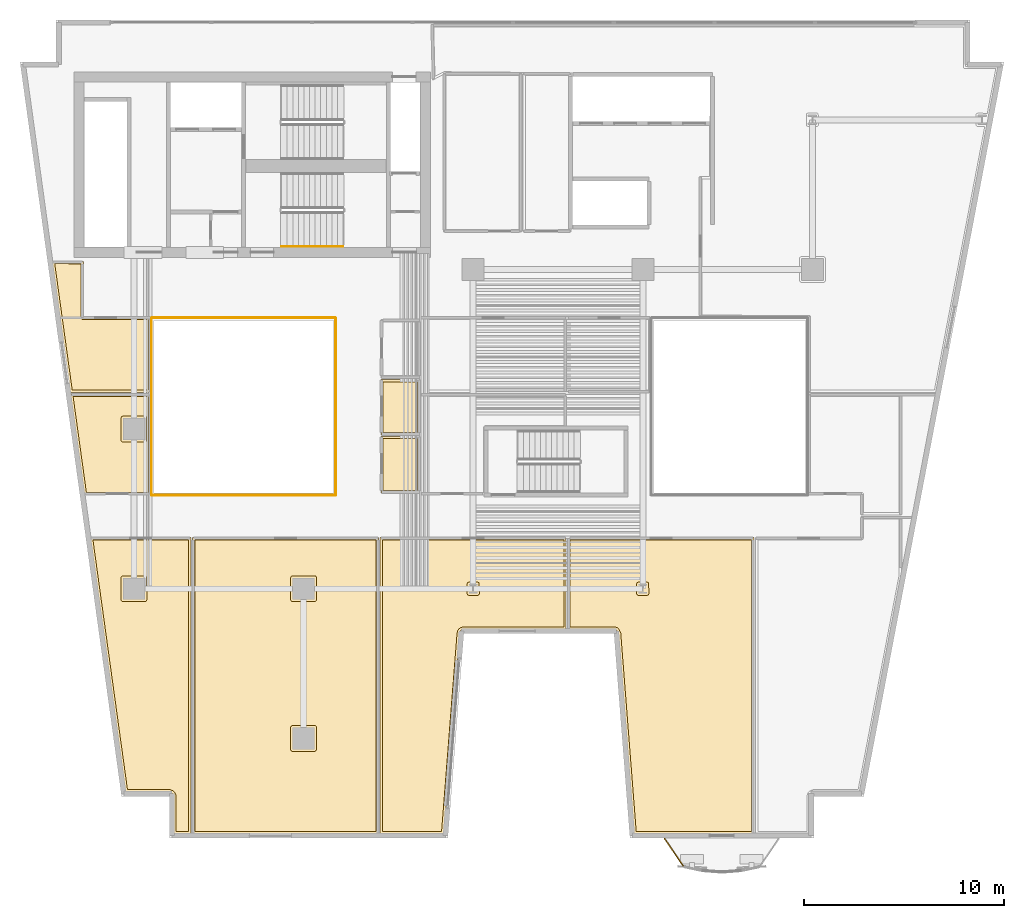
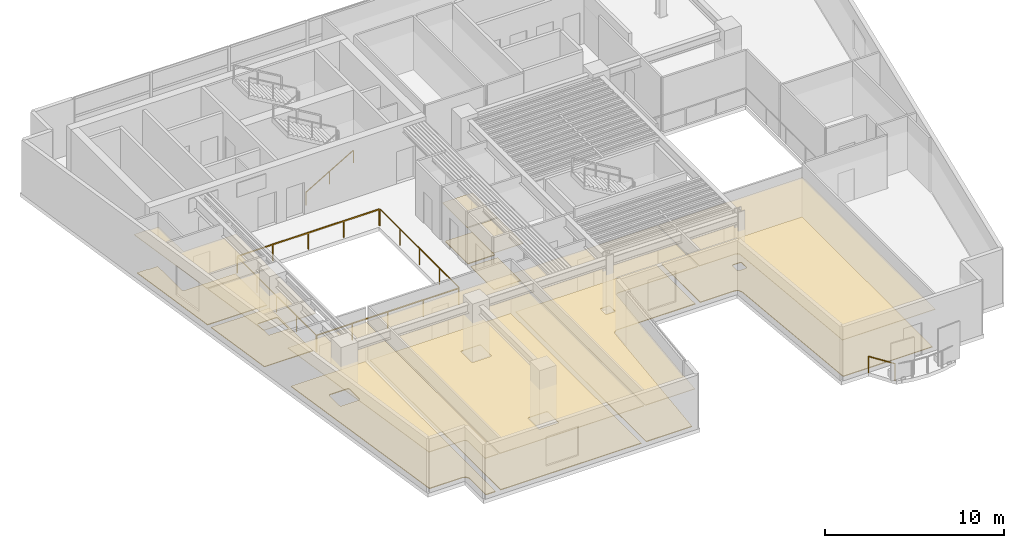
# One storey, part 9 of 13: 16 coverings, 6 railings.
"""IFC4 building model written with IfcOpenShell, lengths in metres."""

from ifc_helpers import new_model, si_unit, direction, frame, origin, origin_2d, place, context, subcontext, project, spatial, polyline, rectangle, outline, extrude, material, layer, layer_set, type_object, element, save


model = new_model("IFC4")

# Units and contexts
model_context = context("Model", 3, precision=1e-05, world=origin(), true_north=direction((0.0, 1.0)))
body_context = subcontext(model_context, "Body", "Model", "MODEL_VIEW")
ifc_project = project(units=[si_unit("LENGTHUNIT", "METRE"), si_unit("AREAUNIT", "SQUARE_METRE"), si_unit("VOLUMEUNIT", "CUBIC_METRE"), si_unit("PLANEANGLEUNIT", "RADIAN"), si_unit("MASSUNIT", "GRAM", prefix="KILO")], contexts=[model_context])

# Site, building, storey
site_placement = place(None, origin())
site = spatial("IfcSite", under=ifc_project, at=site_placement, CompositionType="ELEMENT")
building_placement = place(site_placement, origin())
building = spatial("IfcBuilding", under=site, at=building_placement, Name="Caeloran Harvest Quay", CompositionType="ELEMENT")
storey_placement = place(building_placement, frame((0.0, 0.0, 158.800048828125)))
storey = spatial("IfcBuildingStorey", under=building, at=storey_placement, Name="L37", CompositionType="ELEMENT", Elevation=158.800048828125)

# Coverings
ifc_material_1 = material(Name="Perforated Mineral-Fibre Acoustic Ceiling Tile", Category="ceiling")
ifc_layer_1 = layer(ifc_material_1, 0.0400390625, Name="Perforated Mineral-Fibre Acoustic Ceiling Tile")
ifc_layer_set_1 = layer_set([ifc_layer_1], Name="Perforated Mineral-Fibre Acoustic Ceiling Tile")
covering_type_1 = type_object("IfcCoveringType", Name="COV-CEILING-ACOUSTIC", PredefinedType="CEILING", material=ifc_layer_set_1)
covering_1_placement = place(storey_placement, frame((0.0, 0.0, 2.599853515625)))
element("IfcCovering", 1, at=covering_1_placement, inside=storey, type_object=covering_type_1, Name="L37 Female Washroom WC Acoustic Ceiling", PredefinedType="CEILING", context=body_context, shape_type="SweptSolid", body=[
    extrude(outline(polyline([(22.840087890625, 22.7099609375), (20.8701171875, 22.7099609375), (20.8701171875, 25.489990234375), (22.840087890625, 25.489990234375), (22.840087890625, 22.7099609375)])), origin(), (0.0, 0.0, 1.0), 0.0400390625),
])
covering_2_placement = place(storey_placement, frame((0.0, 0.0, 2.599853515625)))
element("IfcCovering", 2, at=covering_2_placement, inside=storey, type_object=covering_type_1, Name="L37 Accessible Unisex Washroom WC Acoustic Ceiling", PredefinedType="CEILING", context=body_context, shape_type="SweptSolid", body=[
    extrude(outline(polyline([(22.840087890625, 19.81005859375), (20.8701171875, 19.81005859375), (20.8701171875, 22.639892578125), (22.840087890625, 22.639892578125), (22.840087890625, 19.81005859375)])), origin(), (0.0, 0.0, 1.0), 0.0400390625),
])
covering_3_placement = place(storey_placement, frame((0.0, 0.0, 2.599853515625)))
element("IfcCovering", 3, at=covering_3_placement, inside=storey, type_object=covering_type_1, Name="Agro-Finance Summit Conference Hall Acoustic Ceiling", PredefinedType="CEILING", context=body_context, shape_type="SweptSolid", body=[
    extrude(outline(polyline([(20.760009765625, 2.719970703125), (11.43994140625, 2.719970703125), (11.43994140625, 17.56005859375), (20.760009765625, 17.56005859375), (20.760009765625, 2.719970703125)])), origin(), (0.0, 0.0, 1.0), 0.0400390625),
])
covering_4_placement = place(storey_placement, frame((0.0, 0.0, 2.599853515625)))
element("IfcCovering", 4, at=covering_4_placement, inside=storey, type_object=covering_type_1, Name="Carbon Credit Seminar Room Acoustic Ceiling", PredefinedType="CEILING", context=body_context, shape_type="SweptSolid", body=[
    extrude(outline(polyline([(32.771484375, 12.788818359375), (32.739501953125, 12.86962890625), (32.696044921875, 12.918701171875), (32.576904296875, 12.968994140625), (30.239990234375, 12.969970703125), (30.239990234375, 17.56005859375), (39.56005859375, 17.56005859375), (39.56005859375, 2.719970703125), (33.55859375, 2.719970703125), (32.771484375, 12.788818359375)])), origin(), (0.0, 0.0, 1.0), 0.0400390625),
])
covering_5_placement = place(storey_placement, frame((0.0, 0.0, 2.599853515625)))
element("IfcCovering", 5, at=covering_5_placement, inside=storey, type_object=covering_type_1, Name="Investor Espresso Kitchen Acoustic Ceiling", PredefinedType="CEILING", context=body_context, shape_type="SweptSolid", body=[
    extrude(outline(polyline([(10.464111328125, 4.70361328125), (10.373779296875, 4.7939453125), (10.26904296875, 4.820068359375), (8.0712890625, 4.820068359375), (6.309326171875, 17.56005859375), (11.360107421875, 17.56005859375), (11.360107421875, 2.719970703125), (10.489990234375, 2.719970703125), (10.489990234375, 4.59912109375), (10.464111328125, 4.70361328125)])), origin(), (0.0, 0.0, 1.0), 0.0400390625),
])
covering_6_placement = place(storey_placement, frame((0.0, 0.0, 2.599853515625)))
element("IfcCovering", 6, at=covering_6_placement, inside=storey, type_object=covering_type_1, Name="Hospitality Catering Kitchen Acoustic Ceiling", PredefinedType="CEILING", context=body_context, shape_type="SweptSolid", body=[
    extrude(outline(polyline([(24.986572265625, 12.965576171875), (24.925048828125, 12.943359375), (24.8583984375, 12.887451171875), (24.810546875, 12.76611328125), (24.026611328125, 2.719970703125), (20.840087890625, 2.719970703125), (20.840087890625, 17.56005859375), (30.159912109375, 17.56005859375), (30.159912109375, 12.969970703125), (24.986572265625, 12.965576171875)])), origin(), (0.0, 0.0, 1.0), 0.0400390625),
])
covering_7_placement = place(storey_placement, frame((0.0, 0.0, 2.599853515625)))
element("IfcCovering", 7, at=covering_7_placement, inside=storey, type_object=covering_type_1, Name="Executive Wellness Lounge Acoustic Ceiling", PredefinedType="CEILING", context=body_context, shape_type="SweptSolid", body=[
    extrude(outline(polyline([(9.360107421875, 19.7099609375), (6.01220703125, 19.7099609375), (5.313720703125, 24.760009765625), (9.360107421875, 24.760009765625), (9.360107421875, 19.7099609375)])), origin(), (0.0, 0.0, 1.0), 0.0400390625),
])
covering_8_placement = place(storey_placement, frame((0.0, 0.0, 2.599853515625)))
element("IfcCovering", 8, at=covering_8_placement, inside=storey, type_object=covering_type_1, Name="Investor Espresso Kitchen 11 Acoustic Ceiling", PredefinedType="CEILING", context=body_context, shape_type="SweptSolid", body=[
    extrude(outline(polyline([(5.260009765625, 31.389892578125), (5.9599609375, 31.389892578125), (5.9599609375, 28.610107421875), (9.360107421875, 28.610107421875), (9.360107421875, 24.840087890625), (5.302490234375, 24.840087890625), (4.391357421875, 31.429931640625), (5.214599609375, 31.429931640625), (5.260009765625, 31.408447265625), (5.260009765625, 31.389892578125)])), origin(), (0.0, 0.0, 1.0), 0.0400390625),
])
ifc_material_2 = material(Name="Calcium-Sulphate Raised Access Floor and Terrazzo Finish", Category="flooring")
ifc_layer_2 = layer(ifc_material_2, 0.050048828125, Name="Calcium-Sulphate Raised Access Floor and Terrazzo Finish")
ifc_layer_set_2 = layer_set([ifc_layer_2], Name="Calcium-Sulphate Raised Access Floor and Terrazzo Finish")
covering_type_2 = type_object("IfcCoveringType", Name="COV-FLOOR-RAISED", PredefinedType="FLOORING", material=ifc_layer_set_2)
covering_9_placement = place(storey_placement, origin())
element("IfcCovering", 9, at=covering_9_placement, inside=storey, type_object=covering_type_2, Name="L37 Female Washroom WC Raised Finish Flooring", PredefinedType="FLOORING", context=body_context, shape_type="SweptSolid", body=[
    extrude(outline(polyline([(22.719970703125, 22.830078125), (20.989990234375, 22.830078125), (20.989990234375, 25.3701171875), (22.719970703125, 25.3701171875), (22.719970703125, 22.830078125)])), origin(), (0.0, 0.0, 1.0), 0.050048828125),
])
covering_10_placement = place(storey_placement, origin())
element("IfcCovering", 10, at=covering_10_placement, inside=storey, type_object=covering_type_2, Name="L37 Accessible Unisex Washroom WC Raised Finish Flooring", PredefinedType="FLOORING", context=body_context, shape_type="SweptSolid", body=[
    extrude(outline(polyline([(22.719970703125, 19.929931640625), (20.989990234375, 19.929931640625), (20.989990234375, 22.52001953125), (22.719970703125, 22.52001953125), (22.719970703125, 19.929931640625)])), origin(), (0.0, 0.0, 1.0), 0.050048828125),
])
covering_11_placement = place(storey_placement, origin())
element("IfcCovering", 11, at=covering_11_placement, inside=storey, type_object=covering_type_2, Name="Agro-Finance Summit Conference Hall Raised Finish Flooring", PredefinedType="FLOORING", context=body_context, shape_type="SweptSolid", body=[
    extrude(outline(polyline([(11.56005859375, 17.43994140625), (20.639892578125, 17.43994140625), (20.639892578125, 2.840087890625), (11.56005859375, 2.840087890625), (11.56005859375, 17.43994140625)]), holes=[polyline([(16.43505859375, 8.14501953125), (16.37841796875, 8.12158203125), (16.35498046875, 8.06494140625), (16.35498046875, 6.93505859375), (16.37841796875, 6.87841796875), (16.43505859375, 6.85498046875), (17.56494140625, 6.85498046875), (17.62158203125, 6.87841796875), (17.64501953125, 6.93505859375), (17.64501953125, 8.06494140625), (17.62158203125, 8.12158203125), (17.56494140625, 8.14501953125), (16.43505859375, 8.14501953125)]), polyline([(16.43505859375, 15.64501953125), (16.37841796875, 15.62158203125), (16.35498046875, 15.56494140625), (16.35498046875, 14.43505859375), (16.37841796875, 14.37841796875), (16.43505859375, 14.35498046875), (17.56494140625, 14.35498046875), (17.62158203125, 14.37841796875), (17.64501953125, 14.43505859375), (17.64501953125, 15.56494140625), (17.62158203125, 15.62158203125), (17.56494140625, 15.64501953125), (16.43505859375, 15.64501953125)])]), origin(), (0.0, 0.0, 1.0), 0.050048828125),
])
covering_12_placement = place(storey_placement, origin())
element("IfcCovering", 12, at=covering_12_placement, inside=storey, type_object=covering_type_2, Name="Carbon Credit Seminar Room Raised Finish Flooring", PredefinedType="FLOORING", context=body_context, shape_type="SweptSolid", body=[
    extrude(outline(polyline([(32.89404296875, 12.776611328125), (32.80078125, 12.98486328125), (32.7138671875, 13.050537109375), (32.5927734375, 13.087890625), (30.360107421875, 13.090087890625), (30.360107421875, 17.43994140625), (39.43994140625, 17.43994140625), (39.43994140625, 2.840087890625), (33.66943359375, 2.840087890625), (32.89404296875, 12.776611328125)]), holes=[polyline([(34.306884765625, 14.748046875), (34.288818359375, 15.302734375), (34.23486328125, 15.33154296875), (33.77294921875, 15.33203125), (33.71630859375, 15.30859375), (33.693115234375, 15.251953125), (33.693115234375, 14.748046875), (33.71630859375, 14.69140625), (33.77294921875, 14.66796875), (34.22705078125, 14.66796875), (34.28369140625, 14.69140625), (34.306884765625, 14.748046875)])]), origin(), (0.0, 0.0, 1.0), 0.050048828125),
])
covering_13_placement = place(storey_placement, origin())
element("IfcCovering", 13, at=covering_13_placement, inside=storey, type_object=covering_type_2, Name="Investor Espresso Kitchen Raised Finish Flooring", PredefinedType="FLOORING", context=body_context, shape_type="SweptSolid", body=[
    extrude(outline(polyline([(10.58544921875, 4.726318359375), (10.482666015625, 4.865234375), (10.29931640625, 4.938720703125), (8.17578125, 4.93994140625), (6.447021484375, 17.43994140625), (11.239990234375, 17.43994140625), (11.239990234375, 2.840087890625), (10.610107421875, 2.840087890625), (10.610107421875, 4.60009765625), (10.58544921875, 4.726318359375)]), holes=[polyline([(7.93505859375, 15.64501953125), (7.87841796875, 15.62158203125), (7.85498046875, 15.56494140625), (7.85498046875, 14.43505859375), (7.87841796875, 14.37841796875), (7.93505859375, 14.35498046875), (9.06494140625, 14.35498046875), (9.12158203125, 14.37841796875), (9.14501953125, 14.43505859375), (9.14501953125, 15.56494140625), (9.12158203125, 15.62158203125), (9.06494140625, 15.64501953125), (7.93505859375, 15.64501953125)])]), origin(), (0.0, 0.0, 1.0), 0.050048828125),
])
covering_14_placement = place(storey_placement, origin())
element("IfcCovering", 14, at=covering_14_placement, inside=storey, type_object=covering_type_2, Name="Hospitality Catering Kitchen Raised Finish Flooring", PredefinedType="FLOORING", context=body_context, shape_type="SweptSolid", body=[
    extrude(outline(polyline([(25.000244140625, 13.088623046875), (24.89453125, 13.061767578125), (24.789794921875, 12.990478515625), (24.72607421875, 12.902099609375), (24.69140625, 12.780517578125), (23.91552734375, 2.840087890625), (20.9599609375, 2.840087890625), (20.9599609375, 17.43994140625), (30.0400390625, 17.43994140625), (30.0400390625, 13.090087890625), (25.000244140625, 13.088623046875)]), holes=[polyline([(25.806884765625, 14.748046875), (25.788818359375, 15.302734375), (25.73486328125, 15.33154296875), (25.27294921875, 15.33203125), (25.21630859375, 15.30859375), (25.193115234375, 15.251953125), (25.193115234375, 14.748046875), (25.21630859375, 14.69140625), (25.27294921875, 14.66796875), (25.72705078125, 14.66796875), (25.78369140625, 14.69140625), (25.806884765625, 14.748046875)])]), origin(), (0.0, 0.0, 1.0), 0.050048828125),
])
covering_15_placement = place(storey_placement, origin())
element("IfcCovering", 15, at=covering_15_placement, inside=storey, type_object=covering_type_2, Name="Executive Wellness Lounge Raised Finish Flooring", PredefinedType="FLOORING", context=body_context, shape_type="SweptSolid", body=[
    extrude(outline(polyline([(9.239990234375, 24.639892578125), (9.239990234375, 19.830078125), (6.11669921875, 19.830078125), (5.451416015625, 24.639892578125), (9.239990234375, 24.639892578125)]), holes=[polyline([(9.14501953125, 23.56494140625), (9.12158203125, 23.62158203125), (9.06494140625, 23.64501953125), (7.93505859375, 23.64501953125), (7.87841796875, 23.62158203125), (7.85498046875, 23.56494140625), (7.85498046875, 22.43505859375), (7.87841796875, 22.37841796875), (7.93505859375, 22.35498046875), (9.06494140625, 22.35498046875), (9.12158203125, 22.37841796875), (9.14501953125, 22.43505859375), (9.14501953125, 23.56494140625)])]), origin(), (0.0, 0.0, 1.0), 0.050048828125),
])
covering_16_placement = place(storey_placement, origin())
element("IfcCovering", 16, at=covering_16_placement, inside=storey, type_object=covering_type_2, Name="Investor Espresso Kitchen 11 Raised Finish Flooring", PredefinedType="FLOORING", context=body_context, shape_type="SweptSolid", body=[
    extrude(outline(polyline([(5.165283203125, 31.31005859375), (5.2431640625, 31.270263671875), (5.840087890625, 31.27001953125), (5.840087890625, 28.60009765625), (5.8857421875, 28.5107421875), (5.949951171875, 28.489990234375), (9.239990234375, 28.489990234375), (9.239990234375, 24.9599609375), (5.4072265625, 24.9599609375), (4.529052734375, 31.31005859375), (5.165283203125, 31.31005859375)])), origin(), (0.0, 0.0, 1.0), 0.050048828125),
])

# Railings
ifc_material_3 = material(Name="Powder-Coated Steel Post and Laminated Glass Guardrail", Category="steel")
ifc_layer_3 = layer(ifc_material_3, 0.06005859375, Name="Powder-Coated Steel Post and Laminated Glass Guardrail")
ifc_layer_set_3 = layer_set([ifc_layer_3], Name="Powder-Coated Steel Post and Laminated Glass Guardrail")
railing_type_1 = type_object("IfcRailingType", Name="GUARD-ATRIUM-1150", PredefinedType="GUARDRAIL", material=ifc_layer_set_3)
railing_1_placement = place(storey_placement, frame((9.412109375, 19.679931640625, 0.0)))
element("IfcRailing", 17, at=railing_1_placement, inside=storey, type_object=railing_type_1, Name="L37 Skylit Atrium Void Perimeter Guardrail Seg 1", PredefinedType="GUARDRAIL", context=body_context, shape_type="SweptSolid", body=[
    extrude(rectangle(XDim=0.048095703125, YDim=0.048095703125, at=origin_2d()), frame((0.0, 0.0, 1.1259765625), z_axis=(1.0, 0.0, 0.0), x_axis=(0.0, 1.0, 0.0)), (0.0, 0.0, 1.0), 9.17578125),
    extrude(rectangle(XDim=0.0419921875, YDim=0.0419921875, at=origin_2d()), origin(), (0.0, 0.0, 1.0), 1.101806640625),
    extrude(rectangle(XDim=0.0419921875, YDim=0.0419921875, at=origin_2d()), frame((2.2939453125, 0.0, 0.0)), (0.0, 0.0, 1.0), 1.101806640625),
    extrude(rectangle(XDim=0.0419921875, YDim=0.0419921875, at=origin_2d()), frame((4.587890625, 0.0, 0.0)), (0.0, 0.0, 1.0), 1.101806640625),
    extrude(rectangle(XDim=0.0419921875, YDim=0.0419921875, at=origin_2d()), frame((6.8818359375, 0.0, 0.0)), (0.0, 0.0, 1.0), 1.101806640625),
    extrude(rectangle(XDim=0.0419921875, YDim=0.0419921875, at=origin_2d()), frame((9.17578125, 0.0, 0.0)), (0.0, 0.0, 1.0), 1.101806640625),
])
railing_2_placement = place(storey_placement, frame((18.6201171875, 19.7119140625, 0.0)))
element("IfcRailing", 18, at=railing_2_placement, inside=storey, type_object=railing_type_1, Name="L37 Skylit Atrium Void Perimeter Guardrail Seg 2", PredefinedType="GUARDRAIL", context=body_context, shape_type="SweptSolid", body=[
    extrude(rectangle(XDim=0.048095703125, YDim=0.048095703125, at=origin_2d()), frame((0.0, 0.0, 1.1259765625), z_axis=(0.0, 1.0, 0.0), x_axis=(-1.0, 0.0, 0.0)), (0.0, 0.0, 1.0), 8.826171875),
    extrude(rectangle(XDim=0.0419921875, YDim=0.0419921875, at=origin_2d()), origin(), (0.0, 0.0, 1.0), 1.101806640625),
    extrude(rectangle(XDim=0.0419921875, YDim=0.0419921875, at=origin_2d()), frame((0.0, 2.20654296875, 0.0)), (0.0, 0.0, 1.0), 1.101806640625),
    extrude(rectangle(XDim=0.0419921875, YDim=0.0419921875, at=origin_2d()), frame((0.0, 4.4130859375, 0.0)), (0.0, 0.0, 1.0), 1.101806640625),
    extrude(rectangle(XDim=0.0419921875, YDim=0.0419921875, at=origin_2d()), frame((0.0, 6.61962890625, 0.0)), (0.0, 0.0, 1.0), 1.101806640625),
    extrude(rectangle(XDim=0.0419921875, YDim=0.0419921875, at=origin_2d()), frame((0.0, 8.826171875, 0.0)), (0.0, 0.0, 1.0), 1.101806640625),
])
railing_3_placement = place(storey_placement, frame((18.587890625, 28.570068359375, 0.0)))
element("IfcRailing", 19, at=railing_3_placement, inside=storey, type_object=railing_type_1, Name="L37 Skylit Atrium Void Perimeter Guardrail Seg 3", PredefinedType="GUARDRAIL", context=body_context, shape_type="SweptSolid", body=[
    extrude(rectangle(XDim=0.048095703125, YDim=0.048095703125, at=origin_2d()), frame((0.0, 0.0, 1.1259765625), z_axis=(-1.0, 0.0, 0.0), x_axis=(0.0, -1.0, 0.0)), (0.0, 0.0, 1.0), 9.17578125),
    extrude(rectangle(XDim=0.0419921875, YDim=0.0419921875, at=origin_2d()), origin(), (0.0, 0.0, 1.0), 1.101806640625),
    extrude(rectangle(XDim=0.0419921875, YDim=0.0419921875, at=origin_2d()), frame((-2.2939453125, 0.0, 0.0)), (0.0, 0.0, 1.0), 1.101806640625),
    extrude(rectangle(XDim=0.0419921875, YDim=0.0419921875, at=origin_2d()), frame((-4.587890625, 0.0, 0.0)), (0.0, 0.0, 1.0), 1.101806640625),
    extrude(rectangle(XDim=0.0419921875, YDim=0.0419921875, at=origin_2d()), frame((-6.8818359375, 0.0, 0.0)), (0.0, 0.0, 1.0), 1.101806640625),
    extrude(rectangle(XDim=0.0419921875, YDim=0.0419921875, at=origin_2d()), frame((-9.17578125, 0.0, 0.0)), (0.0, 0.0, 1.0), 1.101806640625),
])
railing_4_placement = place(storey_placement, frame((9.3798828125, 28.5380859375, 0.0)))
element("IfcRailing", 20, at=railing_4_placement, inside=storey, type_object=railing_type_1, Name="L37 Skylit Atrium Void Perimeter Guardrail Seg 4", PredefinedType="GUARDRAIL", context=body_context, shape_type="SweptSolid", body=[
    extrude(rectangle(XDim=0.048095703125, YDim=0.048095703125, at=origin_2d()), frame((0.0, 0.0, 1.1259765625), z_axis=(0.0, -1.0, 0.0), x_axis=(1.0, 0.0, 0.0)), (0.0, 0.0, 1.0), 8.826171875),
    extrude(rectangle(XDim=0.0419921875, YDim=0.0419921875, at=origin_2d()), origin(), (0.0, 0.0, 1.0), 1.101806640625),
    extrude(rectangle(XDim=0.0419921875, YDim=0.0419921875, at=origin_2d()), frame((0.0, -2.20654296875, 0.0)), (0.0, 0.0, 1.0), 1.101806640625),
    extrude(rectangle(XDim=0.0419921875, YDim=0.0419921875, at=origin_2d()), frame((0.0, -4.4130859375, 0.0)), (0.0, 0.0, 1.0), 1.101806640625),
    extrude(rectangle(XDim=0.0419921875, YDim=0.0419921875, at=origin_2d()), frame((0.0, -6.61962890625, 0.0)), (0.0, 0.0, 1.0), 1.101806640625),
    extrude(rectangle(XDim=0.0419921875, YDim=0.0419921875, at=origin_2d()), frame((0.0, -8.826171875, 0.0)), (0.0, 0.0, 1.0), 1.101806640625),
])
ifc_material_4 = material(Name="Laminated Safety Glass and Stainless Steel 316", Category="steel")
ifc_layer_4 = layer(ifc_material_4, 0.06005859375, Name="Laminated Safety Glass and Stainless Steel 316")
ifc_layer_set_4 = layer_set([ifc_layer_4], Name="Laminated Safety Glass and Stainless Steel 316")
railing_type_2 = type_object("IfcRailingType", Name="GUARD-BALUSTRADE-1150", PredefinedType="BALUSTRADE", material=ifc_layer_set_4)
railing_5_placement = place(storey_placement, frame((36.027099609375, 1.109130859375, 0.0)))
element("IfcRailing", 21, at=railing_5_placement, inside=storey, type_object=railing_type_2, Name="L37 Planted Balcony Perimeter Balustrade Guard Seg 6", PredefinedType="BALUSTRADE", context=body_context, shape_type="SweptSolid", body=[
    extrude(rectangle(XDim=0.048095703125, YDim=0.048095703125, at=origin_2d()), frame((0.0, 0.0, 1.1259765625), z_axis=(-0.564699722843, 0.82529644554, 0.0), x_axis=(-0.82529644554, -0.564699722843, 0.0)), (0.0, 0.0, 1.0), 1.6611328125),
    extrude(rectangle(XDim=0.0419921875, YDim=0.0419921875, at=origin_2d()), origin(), (0.0, 0.0, 1.0), 1.101806640625),
    extrude(rectangle(XDim=0.0419921875, YDim=0.0419921875, at=origin_2d()), frame((-0.93798828125, 1.370849609375, 0.0)), (0.0, 0.0, 1.0), 1.101806640625),
])
ifc_material_5 = material(Name="Brushed Stainless Steel Grade 304", Category="steel")
ifc_layer_5 = layer(ifc_material_5, 0.050048828125, Name="Brushed Stainless Steel Grade 304")
ifc_layer_set_5 = layer_set([ifc_layer_5], Name="Brushed Stainless Steel Grade 304")
railing_type_3 = type_object("IfcRailingType", Name="STAIR-HANDRAIL-900", PredefinedType="HANDRAIL", material=ifc_layer_set_5)
railing_6_placement = place(storey_placement, frame((15.89990234375, 32.14990234375, 0.16455078125)))
element("IfcRailing", 22, at=railing_6_placement, inside=storey, type_object=railing_type_3, Name="L37 ST-C2 stair handrail 1", PredefinedType="HANDRAIL", context=body_context, shape_type="SweptSolid", body=[
    extrude(rectangle(XDim=0.048095703125, YDim=0.048095703125, at=origin_2d()), frame((0.0, 0.0, 0.8759765625), z_axis=(0.862118610829, 0.0, 0.506706523406), x_axis=(0.0, 1.0, 0.0)), (0.0, 0.0, 1.0), 3.57275390625),
    extrude(rectangle(XDim=0.0419921875, YDim=0.0419921875, at=origin_2d()), origin(), (0.0, 0.0, 1.0), 0.851806640625),
    extrude(rectangle(XDim=0.0419921875, YDim=0.0419921875, at=origin_2d()), frame((1.5400390625, 0.0, 0.9052734375)), (0.0, 0.0, 1.0), 0.851806640625),
    extrude(rectangle(XDim=0.0419921875, YDim=0.0419921875, at=origin_2d()), frame((3.080078125, 0.0, 1.810302734375)), (0.0, 0.0, 1.0), 0.851806640625),
])

save(model, "model.ifc")
